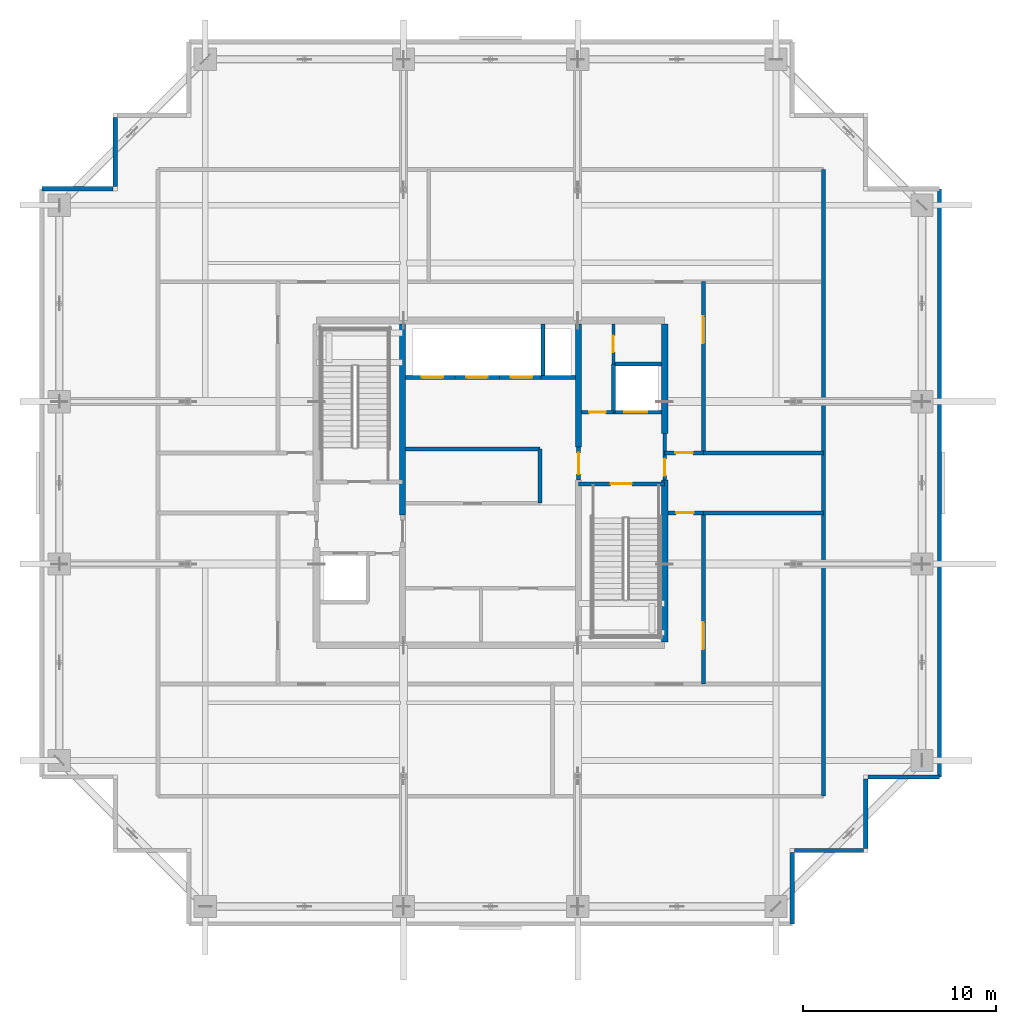
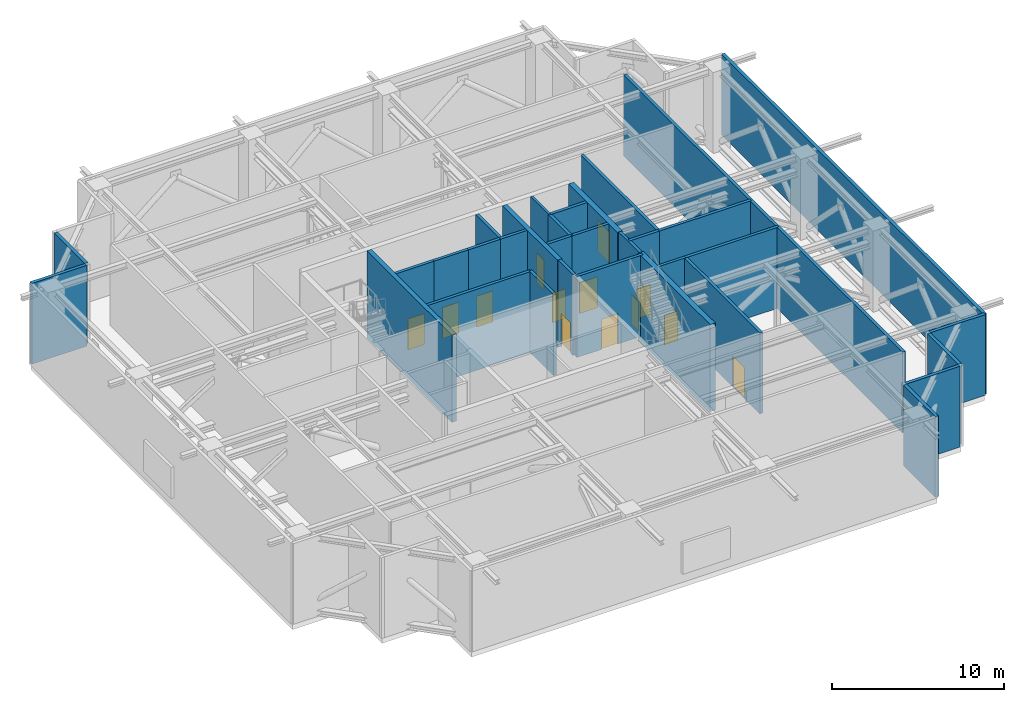
# One storey, part 16 of 22: 33 walls, 13 doors, 13 openings.
"""IFC4 building model written with IfcOpenShell, lengths in metres."""

from ifc_helpers import new_model, si_unit, direction, frame, frame_2d, origin, place, context, subcontext, project, spatial, rectangle, extrude, source, transform, mapped, material, layer, layer_set, type_object, element, fill, save


model = new_model("IFC4")

# Units and contexts
model_context = context("Model", 3, precision=1e-05, world=origin(), true_north=direction((0.0, 1.0)))
body_context = subcontext(model_context, "Body", "Model", "MODEL_VIEW")
ifc_project = project(units=[si_unit("LENGTHUNIT", "METRE"), si_unit("AREAUNIT", "SQUARE_METRE"), si_unit("VOLUMEUNIT", "CUBIC_METRE"), si_unit("PLANEANGLEUNIT", "RADIAN"), si_unit("MASSUNIT", "GRAM", prefix="KILO")], contexts=[model_context])

# Site, building, storey
site_placement = place(None, origin())
site = spatial("IfcSite", under=ifc_project, at=site_placement, CompositionType="ELEMENT")
building_placement = place(site_placement, origin())
building = spatial("IfcBuilding", under=site, at=building_placement, Name="Serunith Strait Residences", CompositionType="ELEMENT")
storey_placement = place(building_placement, frame((0.0, 0.0, 287.449951171875)))
storey = spatial("IfcBuildingStorey", under=building, at=storey_placement, Name="L72", CompositionType="ELEMENT", Elevation=287.449951171875)

# Walls
ifc_material_1 = material(Name="Pale-Champagne Aluminium Insulated Panel", Category="aluminium")
ifc_layer_1 = layer(ifc_material_1, 0.219970703125, Name="Pale-Champagne Aluminium Insulated Panel")
ifc_layer_set_1 = layer_set([ifc_layer_1], Name="Pale-Champagne Aluminium Insulated Panel")
wall_type_1 = type_object("IfcWallType", Name="EW-ALUM-220", PredefinedType="ELEMENTEDWALL", material=ifc_layer_set_1)
wall_1_placement = place(storey_placement, frame((48.0, 2.39990234375, 0.0), z_axis=(0.0, 0.0, 1.0), x_axis=(0.0, 1.0, 0.0)))
element("IfcWall", 1, at=wall_1_placement, inside=storey, type_object=wall_type_1, Name="L72 Girih Serrated Corner Wall 02", PredefinedType="ELEMENTEDWALL", context=body_context, shape_type="SweptSolid", body=[
    extrude(rectangle(XDim=3.690185546875, YDim=0.219970703125, at=frame_2d((1.84521484375, 0.0))), origin(), (0.0, 0.0, 1.0), 5.72509765625),
])
for number, where, z_axis, x_axis, name in (
    (2, (48.110107421875, 6.199951171875, 0.0), (0.0, 0.0, 1.0), (1.0, 0.0, 0.0), "L72 Girih Serrated Corner Wall 03"),
    (3, (51.800048828125, 6.31005859375, 0.0), (0.0, 0.0, 1.0), (0.0, 1.0, 0.0), "L72 Girih Serrated Corner Wall 04"),
):
    element("IfcWall", number, at=place(storey_placement, frame(where, z_axis=z_axis, x_axis=x_axis)), inside=storey, type_object=wall_type_1, Name=name, PredefinedType="ELEMENTEDWALL", context=body_context, shape_type="SweptSolid", body=[
        extrude(rectangle(XDim=3.579833984375, YDim=0.219970703125, at=frame_2d((1.7900390625, 0.0))), origin(), (0.0, 0.0, 1.0), 5.72509765625),
    ])
wall_2_placement = place(storey_placement, frame((51.909912109375, 10.0, 0.0), z_axis=(0.0, 0.0, 1.0), x_axis=(1.0, 0.0, 0.0)))
element("IfcWall", 4, at=wall_2_placement, inside=storey, type_object=wall_type_1, Name="L72 Girih Serrated Corner Wall 05", PredefinedType="ELEMENTEDWALL", context=body_context, shape_type="SweptSolid", body=[
    extrude(rectangle(XDim=3.690185546875, YDim=0.219970703125, at=frame_2d((1.84521484375, 0.0))), origin(), (0.0, 0.0, 1.0), 5.72509765625),
])
wall_3_placement = place(storey_placement, frame((55.60009765625, 10.0, 0.0), z_axis=(0.0, 0.0, 1.0), x_axis=(0.0, 1.0, 0.0)))
element("IfcWall", 5, at=wall_3_placement, inside=storey, type_object=wall_type_1, Name="L72 E Outrigger Plant Acoustic Wall", PredefinedType="ELEMENTEDWALL", context=body_context, shape_type="SweptSolid", body=[
    extrude(rectangle(XDim=30.39990234375, YDim=0.219970703125, at=frame_2d((15.199951171875, 0.0))), origin(), (0.0, 0.0, 1.0), 5.72509765625),
])
wall_4_placement = place(storey_placement, frame((13.0, 44.090087890625, 0.0), z_axis=(0.0, 0.0, 1.0), x_axis=(0.0, -1.0, 0.0)))
element("IfcWall", 6, at=wall_4_placement, inside=storey, type_object=wall_type_1, Name="L72 Girih Serrated Corner Wall 14", PredefinedType="ELEMENTEDWALL", context=body_context, shape_type="SweptSolid", body=[
    extrude(rectangle(XDim=3.580078125, YDim=0.219970703125, at=frame_2d((1.7900390625, 0.0))), origin(), (0.0, 0.0, 1.0), 5.72509765625),
])
wall_5_placement = place(storey_placement, frame((12.889892578125, 40.39990234375, 0.0), z_axis=(0.0, 0.0, 1.0), x_axis=(-1.0, 0.0, 0.0)))
element("IfcWall", 7, at=wall_5_placement, inside=storey, type_object=wall_type_1, Name="L72 Girih Serrated Corner Wall 15", PredefinedType="ELEMENTEDWALL", context=body_context, shape_type="SweptSolid", body=[
    extrude(rectangle(XDim=3.68994140625, YDim=0.219970703125, at=frame_2d((1.844970703125, 0.0))), origin(), (0.0, 0.0, 1.0), 5.72509765625),
])

# Wall, opening, door
ifc_material_2 = material(Name="Fire-rated masonry service closet wall", Category="masonry")
ifc_layer_2 = layer(ifc_material_2, 0.14990234375, Name="Fire-rated masonry service closet wall")
ifc_layer_set_2 = layer_set([ifc_layer_2], Name="Fire-rated masonry service closet wall")
wall_type_2 = type_object("IfcWallType", Name="IW-BOH-150", PredefinedType="PARTITIONING", material=ifc_layer_set_2)
wall_6_placement = place(storey_placement, frame((38.75, 31.35205078125, 0.0), z_axis=(0.0, 0.0, 1.0), x_axis=(0.0, 1.0, 0.0)))
wall_6 = element("IfcWall", 8, at=wall_6_placement, inside=storey, type_object=wall_type_2, Name="L72 Partition Wall 011", PredefinedType="PARTITIONING", context=body_context, shape_type="SweptSolid", body=[
    extrude(rectangle(XDim=2.072998046875, YDim=0.14990234375, at=frame_2d((1.03662109375, 0.0))), origin(), (0.0, 0.0, 1.0), 5.739990234375),
])
opening_1_placement = place(wall_6_placement, frame((0.611083984375, 0.0, 0.0)))
opening_1 = element("IfcOpeningElement", 9, at=opening_1_placement, cuts=wall_6, Name="Opening FD-850", PredefinedType="OPENING", context=body_context, shape_type="SweptSolid", body=[
    extrude(rectangle(XDim=0.85009765625, YDim=2.10009765625, at=frame_2d((0.425048828125, 1.050048828125))), frame((0.0, 0.0849609375, 0.0), z_axis=(0.0, -1.0, 0.0), x_axis=(1.0, 0.0, 0.0)), (0.0, 0.0, 1.0), 0.169921875),
])
ifc_material_3 = material(Name="Powder-coated steel service closet door", Category="steel")
door_type_1 = type_object("IfcDoorType", Name="FD-BOH-850", OperationType="NOTDEFINED", PredefinedType="DOOR", material=ifc_material_3)
shared_shape_1 = source(origin(), body_context, "Body", "SweptSolid", [
    extrude(rectangle(XDim=0.85009765625, YDim=2.10009765625, at=frame_2d((0.425048828125, 1.050048828125))), frame((0.0, 0.02490234375, 0.0), z_axis=(0.0, -1.0, 0.0), x_axis=(1.0, 0.0, 0.0)), (0.0, 0.0, 1.0), 0.050048828125),
])
door_1_placement = place(opening_1_placement, origin())
door_1 = element("IfcDoor", 10, at=door_1_placement, inside=storey, type_object=door_type_1, Name="L72 ELV Data Closet Door", OperationType="SINGLE_SWING_RIGHT", OverallHeight=2.10009765625, OverallWidth=0.85009765625, PredefinedType="DOOR", context=body_context, shape_type="MappedRepresentation", body=[
    mapped(shared_shape_1, transform((0.0, 0.0, 0.0), scale=1.0)),
])
fill(opening_1, door_1)

# Wall
ifc_material_4 = material(Name="Acoustic concrete block plant wall", Category="concrete")
ifc_layer_3 = layer(ifc_material_4, 0.199951171875, Name="Acoustic concrete block plant wall")
ifc_layer_set_3 = layer_set([ifc_layer_3], Name="Acoustic concrete block plant wall")
wall_type_3 = type_object("IfcWallType", Name="IW-PLANT-200", PredefinedType="STANDARD", material=ifc_layer_set_3)
wall_7_placement = place(storey_placement, frame((49.60009765625, 9.0, 0.0), z_axis=(0.0, 0.0, 1.0), x_axis=(0.0, 1.0, 0.0)))
element("IfcWall", 11, at=wall_7_placement, inside=storey, type_object=wall_type_3, Name="L72 Partition Wall 021", PredefinedType="STANDARD", context=body_context, shape_type="SweptSolid", body=[
    extrude(rectangle(XDim=32.39990234375, YDim=0.199951171875, at=frame_2d((16.199951171875, 0.0))), origin(), (0.0, 0.0, 1.0), 5.739990234375),
])

# Wall, opening, door
wall_8_placement = place(storey_placement, frame((41.574951171875, 23.64990234375, 0.0), z_axis=(0.0, 0.0, 1.0), x_axis=(1.0, 0.0, 0.0)))
wall_8 = element("IfcWall", 12, at=wall_8_placement, inside=storey, type_object=wall_type_3, Name="L72 Partition Wall 026", PredefinedType="STANDARD", context=body_context, shape_type="SweptSolid", body=[
    extrude(rectangle(XDim=1.824951171875, YDim=0.199951171875, at=frame_2d((0.91259765625, 0.0))), origin(), (0.0, 0.0, 1.0), 5.739990234375),
])
opening_2_placement = place(wall_8_placement, frame((0.41796875, 0.0, 0.0)))
opening_2 = element("IfcOpeningElement", 13, at=opening_2_placement, cuts=wall_8, Name="Opening FD-900", PredefinedType="OPENING", context=body_context, shape_type="SweptSolid", body=[
    extrude(rectangle(XDim=0.89990234375, YDim=2.10009765625, at=frame_2d((0.449951171875, 1.050048828125))), frame((0.0, 0.10986328125, 0.0), z_axis=(0.0, -1.0, 0.0), x_axis=(1.0, 0.0, 0.0)), (0.0, 0.0, 1.0), 0.219970703125),
])
ifc_material_5 = material(Name="Powder-coated steel riser door", Category="steel")
door_type_2 = type_object("IfcDoorType", Name="FD-BOH-900", OperationType="NOTDEFINED", PredefinedType="DOOR", material=ifc_material_5)
shared_shape_2 = source(origin(), body_context, "Body", "SweptSolid", [
    extrude(rectangle(XDim=0.89990234375, YDim=2.10009765625, at=frame_2d((0.449951171875, 1.050048828125))), frame((0.0, 0.02490234375, 0.0), z_axis=(0.0, -1.0, 0.0), x_axis=(1.0, 0.0, 0.0)), (0.0, 0.0, 1.0), 0.050048828125),
])
door_2_placement = place(opening_2_placement, origin())
door_2 = element("IfcDoor", 14, at=door_2_placement, inside=storey, type_object=door_type_2, Name="L72 South-East Plant Corridor Door", OperationType="SINGLE_SWING_RIGHT", OverallHeight=2.10009765625, OverallWidth=0.89990234375, PredefinedType="DOOR", context=body_context, shape_type="MappedRepresentation", body=[
    mapped(shared_shape_2, transform((0.0, 0.0, 0.0), scale=1.0)),
])
fill(opening_2, door_2)

# Wall
wall_9_placement = place(storey_placement, frame((43.402099609375, 23.64990234375, 0.0), z_axis=(0.0, 0.0, 1.0), x_axis=(1.0, 0.0, 0.0)))
element("IfcWall", 15, at=wall_9_placement, inside=storey, type_object=wall_type_3, Name="L72 Partition Wall 027", PredefinedType="STANDARD", context=body_context, shape_type="SweptSolid", body=[
    extrude(rectangle(XDim=6.197998046875, YDim=0.199951171875, at=frame_2d((3.09912109375, 0.0))), origin(), (0.0, 0.0, 1.0), 5.739990234375),
])

# Wall, opening, door
wall_10_placement = place(storey_placement, frame((41.39990234375, 26.75, 0.0), z_axis=(0.0, 0.0, 1.0), x_axis=(1.0, 0.0, 0.0)))
wall_10 = element("IfcWall", 16, at=wall_10_placement, inside=storey, type_object=wall_type_3, Name="L72 Partition Wall 028", PredefinedType="STANDARD", context=body_context, shape_type="SweptSolid", body=[
    extrude(rectangle(XDim=2.0, YDim=0.199951171875, at=frame_2d((1.0, 0.0))), origin(), (0.0, 0.0, 1.0), 5.739990234375),
])
opening_3_placement = place(wall_10_placement, frame((0.550048828125, 0.0, 0.0)))
opening_3 = element("IfcOpeningElement", 17, at=opening_3_placement, cuts=wall_10, Name="Opening FD-900", PredefinedType="OPENING", context=body_context, shape_type="SweptSolid", body=[
    extrude(rectangle(XDim=0.89990234375, YDim=2.10009765625, at=frame_2d((0.449951171875, 1.050048828125))), frame((0.0, 0.10986328125, 0.0), z_axis=(0.0, -1.0, 0.0), x_axis=(1.0, 0.0, 0.0)), (0.0, 0.0, 1.0), 0.219970703125),
])
door_3_placement = place(opening_3_placement, origin())
door_3 = element("IfcDoor", 18, at=door_3_placement, inside=storey, type_object=door_type_2, Name="L72 North-East Plant Corridor Door", OperationType="SINGLE_SWING_LEFT", OverallHeight=2.10009765625, OverallWidth=0.89990234375, PredefinedType="DOOR", context=body_context, shape_type="MappedRepresentation", body=[
    mapped(shared_shape_2, transform((0.0, 0.0, 0.0), scale=1.0)),
])
fill(opening_3, door_3)

# Wall
wall_11_placement = place(storey_placement, frame((43.402099609375, 26.75, 0.0), z_axis=(0.0, 0.0, 1.0), x_axis=(1.0, 0.0, 0.0)))
element("IfcWall", 19, at=wall_11_placement, inside=storey, type_object=wall_type_3, Name="L72 Partition Wall 029", PredefinedType="STANDARD", context=body_context, shape_type="SweptSolid", body=[
    extrude(rectangle(XDim=6.197998046875, YDim=0.199951171875, at=frame_2d((3.09912109375, 0.0))), origin(), (0.0, 0.0, 1.0), 5.739990234375),
])

# Wall, opening, door
wall_12_placement = place(storey_placement, frame((43.39990234375, 14.800048828125, 0.0), z_axis=(0.0, 0.0, 1.0), x_axis=(0.0, 1.0, 0.0)))
wall_12 = element("IfcWall", 20, at=wall_12_placement, inside=storey, type_object=wall_type_3, Name="L72 Partition Wall 036", PredefinedType="STANDARD", context=body_context, shape_type="SweptSolid", body=[
    extrude(rectangle(XDim=8.849853515625, YDim=0.199951171875, at=frame_2d((4.4248046875, 0.0))), origin(), (0.0, 0.0, 1.0), 5.739990234375),
])
opening_4_placement = place(wall_12_placement, frame((1.7880859375, 0.0, 0.0)))
opening_4 = element("IfcOpeningElement", 21, at=opening_4_placement, cuts=wall_12, Name="Opening FD-1400", PredefinedType="OPENING", context=body_context, shape_type="SweptSolid", body=[
    extrude(rectangle(XDim=1.39990234375, YDim=2.199951171875, at=frame_2d((0.699951171875, 1.10009765625))), frame((0.0, 0.10986328125, 0.0), z_axis=(0.0, -1.0, 0.0), x_axis=(1.0, 0.0, 0.0)), (0.0, 0.0, 1.0), 0.219970703125),
])
ifc_material_6 = material(Name="Acoustic double-skin steel plant door", Category="steel")
door_type_3 = type_object("IfcDoorType", Name="FD-PLANT-1400", OperationType="DOUBLE_DOOR_SINGLE_SWING", PredefinedType="DOOR", material=ifc_material_6)
shared_shape_3 = source(origin(), body_context, "Body", "SweptSolid", [
    extrude(rectangle(XDim=1.39990234375, YDim=2.199951171875, at=frame_2d((0.699951171875, 1.10009765625))), frame((0.0, 0.02490234375, 0.0), z_axis=(0.0, -1.0, 0.0), x_axis=(1.0, 0.0, 0.0)), (0.0, 0.0, 1.0), 0.050048828125),
])
door_4_placement = place(opening_4_placement, origin())
door_4 = element("IfcDoor", 22, at=door_4_placement, inside=storey, type_object=door_type_3, Name="L72 South-East Fan Plant Door", OperationType="DOUBLE_DOOR_SINGLE_SWING", OverallHeight=2.199951171875, OverallWidth=1.39990234375, PredefinedType="DOOR", context=body_context, shape_type="MappedRepresentation", body=[
    mapped(shared_shape_3, transform((0.0, 0.0, 0.0), scale=1.0)),
])
fill(opening_4, door_4)

wall_13_placement = place(storey_placement, frame((43.39990234375, 26.75, 0.0), z_axis=(0.0, 0.0, 1.0), x_axis=(0.0, 1.0, 0.0)))
wall_13 = element("IfcWall", 23, at=wall_13_placement, inside=storey, type_object=wall_type_3, Name="L72 Partition Wall 037", PredefinedType="STANDARD", context=body_context, shape_type="SweptSolid", body=[
    extrude(rectangle(XDim=8.85009765625, YDim=0.199951171875, at=frame_2d((4.425048828125, 0.0))), origin(), (0.0, 0.0, 1.0), 5.739990234375),
])
opening_5_placement = place(wall_13_placement, frame((5.662109375, 0.0, 0.0)))
opening_5 = element("IfcOpeningElement", 24, at=opening_5_placement, cuts=wall_13, Name="Opening FD-1400", PredefinedType="OPENING", context=body_context, shape_type="SweptSolid", body=[
    extrude(rectangle(XDim=1.39990234375, YDim=2.199951171875, at=frame_2d((0.699951171875, 1.10009765625))), frame((0.0, 0.10986328125, 0.0), z_axis=(0.0, -1.0, 0.0), x_axis=(1.0, 0.0, 0.0)), (0.0, 0.0, 1.0), 0.219970703125),
])
door_5_placement = place(opening_5_placement, origin())
door_5 = element("IfcDoor", 25, at=door_5_placement, inside=storey, type_object=door_type_3, Name="L72 North-East Fan Plant Door", OperationType="DOUBLE_DOOR_SINGLE_SWING", OverallHeight=2.199951171875, OverallWidth=1.39990234375, PredefinedType="DOOR", context=body_context, shape_type="MappedRepresentation", body=[
    mapped(shared_shape_3, transform((0.0, 0.0, 0.0), scale=1.0)),
])
fill(opening_5, door_5)

ifc_material_7 = material(Name="Autoclaved aerated concrete blockwork", Category="masonry")
ifc_layer_4 = layer(ifc_material_7, 0.199951171875, Name="Autoclaved aerated concrete blockwork")
ifc_layer_set_4 = layer_set([ifc_layer_4], Name="Autoclaved aerated concrete blockwork")
wall_type_4 = type_object("IfcWallType", Name="IW-SHAFT-200", PredefinedType="STANDARD", material=ifc_layer_set_4)
wall_14_placement = place(storey_placement, frame((36.949951171875, 25.14990234375, 0.0), z_axis=(0.0, 0.0, 1.0), x_axis=(1.0, 0.0, 0.0)))
wall_14 = element("IfcWall", 26, at=wall_14_placement, inside=storey, type_object=wall_type_4, Name="L72 ST-2 North Shaft Wall", PredefinedType="STANDARD", context=body_context, shape_type="SweptSolid", body=[
    extrude(rectangle(XDim=4.449951171875, YDim=0.199951171875, at=frame_2d((2.22509765625, 0.0))), origin(), (0.0, 0.0, 1.0), 5.739990234375),
])
opening_6_placement = place(wall_14_placement, frame((1.64990234375, 0.0, 0.0)))
opening_6 = element("IfcOpeningElement", 27, at=opening_6_placement, cuts=wall_14, Name="Opening FD-1100", PredefinedType="OPENING", context=body_context, shape_type="SweptSolid", body=[
    extrude(rectangle(XDim=1.10009765625, YDim=2.14990234375, at=frame_2d((0.550048828125, 1.074951171875))), frame((0.0, 0.10986328125, 0.0), z_axis=(0.0, -1.0, 0.0), x_axis=(1.0, 0.0, 0.0)), (0.0, 0.0, 1.0), 0.219970703125),
])
ifc_material_8 = material(Name="Galvanised steel fire door leaf", Category="steel")
door_type_4 = type_object("IfcDoorType", Name="FD-STAIR-1100", OperationType="NOTDEFINED", PredefinedType="DOOR", material=ifc_material_8)
shared_shape_4 = source(origin(), body_context, "Body", "SweptSolid", [
    extrude(rectangle(XDim=1.10009765625, YDim=2.14990234375, at=frame_2d((0.550048828125, 1.074951171875))), frame((0.0, 0.02490234375, 0.0), z_axis=(0.0, -1.0, 0.0), x_axis=(1.0, 0.0, 0.0)), (0.0, 0.0, 1.0), 0.050048828125),
])
door_6_placement = place(opening_6_placement, origin())
door_6 = element("IfcDoor", 28, at=door_6_placement, inside=storey, type_object=door_type_4, Name="L72 ST-2 Escape Stair Door", OperationType="SINGLE_SWING_LEFT", OverallHeight=2.14990234375, OverallWidth=1.10009765625, PredefinedType="DOOR", context=body_context, shape_type="MappedRepresentation", body=[
    mapped(shared_shape_4, transform((0.0, 0.0, 0.0), scale=1.0)),
])
fill(opening_6, door_6)

wall_15_placement = place(storey_placement, frame((38.75, 28.85009765625, 0.0), z_axis=(0.0, 0.0, 1.0), x_axis=(1.0, 0.0, 0.0)))
wall_15 = element("IfcWall", 29, at=wall_15_placement, inside=storey, type_object=wall_type_4, Name="L72 FL-2 South Shaft Wall", PredefinedType="STANDARD", context=body_context, shape_type="SweptSolid", body=[
    extrude(rectangle(XDim=2.47509765625, YDim=0.199951171875, at=frame_2d((1.237548828125, 0.0))), origin(), (0.0, 0.0, 1.0), 5.739990234375),
])
opening_7_placement = place(wall_15_placement, frame((0.550048828125, 0.0, 0.0)))
opening_7 = element("IfcOpeningElement", 30, at=opening_7_placement, cuts=wall_15, Name="Opening LD-FF1200", PredefinedType="OPENING", context=body_context, shape_type="SweptSolid", body=[
    extrude(rectangle(XDim=1.199951171875, YDim=2.199951171875, at=frame_2d((0.60009765625, 1.10009765625))), frame((0.0, 0.10986328125, 0.0), z_axis=(0.0, -1.0, 0.0), x_axis=(1.0, 0.0, 0.0)), (0.0, 0.0, 1.0), 0.219970703125),
])
ifc_material_9 = material(Name="Brushed stainless steel landing door", Category="steel")
door_type_5 = type_object("IfcDoorType", Name="LD-FF-1200", OperationType="DOUBLE_DOOR_SLIDING", PredefinedType="DOOR", material=ifc_material_9)
shared_shape_5 = source(origin(), body_context, "Body", "SweptSolid", [
    extrude(rectangle(XDim=1.199951171875, YDim=2.199951171875, at=frame_2d((0.60009765625, 1.10009765625))), frame((0.0, 0.02490234375, 0.0), z_axis=(0.0, -1.0, 0.0), x_axis=(1.0, 0.0, 0.0)), (0.0, 0.0, 1.0), 0.050048828125),
])
door_7_placement = place(opening_7_placement, origin())
door_7 = element("IfcDoor", 31, at=door_7_placement, inside=storey, type_object=door_type_5, Name="L72 FL-2 Landing Door", OperationType="DOUBLE_DOOR_SLIDING", OverallHeight=2.199951171875, OverallWidth=1.199951171875, PredefinedType="DOOR", context=body_context, shape_type="MappedRepresentation", body=[
    mapped(shared_shape_5, transform((0.0, 0.0, 0.0), scale=1.0)),
])
fill(opening_7, door_7)

wall_16_placement = place(storey_placement, frame((28.0, 30.64990234375, 0.0), z_axis=(0.0, 0.0, 1.0), x_axis=(1.0, 0.0, 0.0)))
wall_16 = element("IfcWall", 32, at=wall_16_placement, inside=storey, type_object=wall_type_4, Name="L72 PL-7 South Shaft Wall", PredefinedType="STANDARD", context=body_context, shape_type="SweptSolid", body=[
    extrude(rectangle(XDim=2.550048828125, YDim=0.199951171875, at=frame_2d((1.27490234375, 0.0))), origin(), (0.0, 0.0, 1.0), 5.739990234375),
])
opening_8_placement = place(wall_16_placement, frame((0.85009765625, 0.0, 0.0)))
opening_8 = element("IfcOpeningElement", 33, at=opening_8_placement, cuts=wall_16, Name="Opening LD-1100", PredefinedType="OPENING", context=body_context, shape_type="SweptSolid", body=[
    extrude(rectangle(XDim=1.10009765625, YDim=2.199951171875, at=frame_2d((0.550048828125, 1.10009765625))), frame((0.0, 0.10986328125, 0.0), z_axis=(0.0, -1.0, 0.0), x_axis=(1.0, 0.0, 0.0)), (0.0, 0.0, 1.0), 0.219970703125),
])
ifc_material_10 = material(Name="Pale-champagne stainless landing door")
door_type_6 = type_object("IfcDoorType", Name="LD-LIFT-1100", OperationType="DOUBLE_DOOR_SLIDING", PredefinedType="DOOR", material=ifc_material_10)
shared_shape_6 = source(origin(), body_context, "Body", "SweptSolid", [
    extrude(rectangle(XDim=1.10009765625, YDim=2.199951171875, at=frame_2d((0.550048828125, 1.10009765625))), frame((0.0, 0.02490234375, 0.0), z_axis=(0.0, -1.0, 0.0), x_axis=(1.0, 0.0, 0.0)), (0.0, 0.0, 1.0), 0.050048828125),
])
door_8_placement = place(opening_8_placement, origin())
door_8 = element("IfcDoor", 34, at=door_8_placement, inside=storey, type_object=door_type_6, Name="L72 PL-7 Landing Door", OperationType="DOUBLE_DOOR_SLIDING", OverallHeight=2.199951171875, OverallWidth=1.10009765625, PredefinedType="DOOR", context=body_context, shape_type="MappedRepresentation", body=[
    mapped(shared_shape_6, transform((0.0, 0.0, 0.0), scale=1.0)),
])
fill(opening_8, door_8)

wall_17_placement = place(storey_placement, frame((30.550048828125, 30.64990234375, 0.0), z_axis=(0.0, 0.0, 1.0), x_axis=(1.0, 0.0, 0.0)))
wall_17 = element("IfcWall", 35, at=wall_17_placement, inside=storey, type_object=wall_type_4, Name="L72 PL-8 South Shaft Wall", PredefinedType="STANDARD", context=body_context, shape_type="SweptSolid", body=[
    extrude(rectangle(XDim=2.300048828125, YDim=0.199951171875, at=frame_2d((1.14990234375, 0.0))), origin(), (0.0, 0.0, 1.0), 5.739990234375),
])
opening_9_placement = place(wall_17_placement, frame((0.60009765625, 0.0, 0.0)))
opening_9 = element("IfcOpeningElement", 36, at=opening_9_placement, cuts=wall_17, Name="Opening LD-1100", PredefinedType="OPENING", context=body_context, shape_type="SweptSolid", body=[
    extrude(rectangle(XDim=1.10009765625, YDim=2.199951171875, at=frame_2d((0.550048828125, 1.10009765625))), frame((0.0, 0.10986328125, 0.0), z_axis=(0.0, -1.0, 0.0), x_axis=(1.0, 0.0, 0.0)), (0.0, 0.0, 1.0), 0.219970703125),
])
door_9_placement = place(opening_9_placement, origin())
door_9 = element("IfcDoor", 37, at=door_9_placement, inside=storey, type_object=door_type_6, Name="L72 PL-8 Landing Door", OperationType="DOUBLE_DOOR_SLIDING", OverallHeight=2.199951171875, OverallWidth=1.10009765625, PredefinedType="DOOR", context=body_context, shape_type="MappedRepresentation", body=[
    mapped(shared_shape_6, transform((0.0, 0.0, 0.0), scale=1.0)),
])
fill(opening_9, door_9)

wall_18_placement = place(storey_placement, frame((32.85009765625, 30.64990234375, 0.0), z_axis=(0.0, 0.0, 1.0), x_axis=(1.0, 0.0, 0.0)))
wall_18 = element("IfcWall", 38, at=wall_18_placement, inside=storey, type_object=wall_type_4, Name="L72 PL-9 South Shaft Wall", PredefinedType="STANDARD", context=body_context, shape_type="SweptSolid", body=[
    extrude(rectangle(XDim=2.14990234375, YDim=0.199951171875, at=frame_2d((1.074951171875, 0.0))), origin(), (0.0, 0.0, 1.0), 5.739990234375),
])
opening_10_placement = place(wall_18_placement, frame((0.60009765625, 0.0, 0.0)))
opening_10 = element("IfcOpeningElement", 39, at=opening_10_placement, cuts=wall_18, Name="Opening LD-1100", PredefinedType="OPENING", context=body_context, shape_type="SweptSolid", body=[
    extrude(rectangle(XDim=1.10009765625, YDim=2.199951171875, at=frame_2d((0.550048828125, 1.10009765625))), frame((0.0, 0.10986328125, 0.0), z_axis=(0.0, -1.0, 0.0), x_axis=(1.0, 0.0, 0.0)), (0.0, 0.0, 1.0), 0.219970703125),
])
door_10_placement = place(opening_10_placement, origin())
door_10 = element("IfcDoor", 40, at=door_10_placement, inside=storey, type_object=door_type_6, Name="L72 PL-9 Landing Door", OperationType="DOUBLE_DOOR_SLIDING", OverallHeight=2.199951171875, OverallWidth=1.10009765625, PredefinedType="DOOR", context=body_context, shape_type="MappedRepresentation", body=[
    mapped(shared_shape_6, transform((0.0, 0.0, 0.0), scale=1.0)),
])
fill(opening_10, door_10)

# Walls
wall_19_placement = place(storey_placement, frame((35.0, 30.64990234375, 0.0), z_axis=(0.0, 0.0, 1.0), x_axis=(1.0, 0.0, 0.0)))
element("IfcWall", 41, at=wall_19_placement, inside=storey, type_object=wall_type_4, Name="L72 SL-1 South Shaft Wall", PredefinedType="STANDARD", context=body_context, shape_type="SweptSolid", body=[
    extrude(rectangle(XDim=1.800048828125, YDim=0.199951171875, at=frame_2d((0.89990234375, 0.0))), origin(), (0.0, 0.0, 1.0), 5.739990234375),
])
wall_20_placement = place(storey_placement, frame((35.10009765625, 30.75, 0.0), z_axis=(0.0, 0.0, 1.0), x_axis=(0.0, 1.0, 0.0)))
element("IfcWall", 42, at=wall_20_placement, inside=storey, type_object=wall_type_4, Name="L72 SL-1 West Shaft Wall", PredefinedType="STANDARD", context=body_context, shape_type="SweptSolid", body=[
    extrude(rectangle(XDim=2.675048828125, YDim=0.199951171875, at=frame_2d((1.33740234375, 0.0))), origin(), (0.0, 0.0, 1.0), 5.739990234375),
])
wall_21_placement = place(storey_placement, frame((38.75, 28.85009765625, 0.0), z_axis=(0.0, 0.0, 1.0), x_axis=(0.0, 1.0, 0.0)))
element("IfcWall", 43, at=wall_21_placement, inside=storey, type_object=wall_type_4, Name="L72 Partition Wall 004", PredefinedType="STANDARD", context=body_context, shape_type="SweptSolid", body=[
    extrude(rectangle(XDim=2.5, YDim=0.199951171875, at=frame_2d((1.25, 0.0))), origin(), (0.0, 0.0, 1.0), 5.739990234375),
])
wall_22_placement = place(storey_placement, frame((38.75, 31.35009765625, 0.0), z_axis=(0.0, 0.0, 1.0), x_axis=(1.0, 0.0, 0.0)))
element("IfcWall", 44, at=wall_22_placement, inside=storey, type_object=wall_type_4, Name="L72 Partition Wall 005", PredefinedType="STANDARD", context=body_context, shape_type="SweptSolid", body=[
    extrude(rectangle(XDim=2.47509765625, YDim=0.199951171875, at=frame_2d((1.237548828125, 0.0))), origin(), (0.0, 0.0, 1.0), 5.739990234375),
])

# Wall, opening, door
wall_23_placement = place(storey_placement, frame((37.10009765625, 28.85009765625, 0.0), z_axis=(0.0, 0.0, 1.0), x_axis=(1.0, 0.0, 0.0)))
wall_23 = element("IfcWall", 45, at=wall_23_placement, inside=storey, type_object=wall_type_4, Name="L72 Partition Wall 006", PredefinedType="STANDARD", context=body_context, shape_type="SweptSolid", body=[
    extrude(rectangle(XDim=1.64794921875, YDim=0.199951171875, at=frame_2d((0.823974609375, 0.0))), origin(), (0.0, 0.0, 1.0), 5.739990234375),
])
opening_11_placement = place(wall_23_placement, frame((0.39892578125, 0.0, 0.0)))
opening_11 = element("IfcOpeningElement", 46, at=opening_11_placement, cuts=wall_23, Name="Opening FD-850", PredefinedType="OPENING", context=body_context, shape_type="SweptSolid", body=[
    extrude(rectangle(XDim=0.85009765625, YDim=2.10009765625, at=frame_2d((0.425048828125, 1.050048828125))), frame((0.0, 0.10986328125, 0.0), z_axis=(0.0, -1.0, 0.0), x_axis=(1.0, 0.0, 0.0)), (0.0, 0.0, 1.0), 0.219970703125),
])
door_11_placement = place(opening_11_placement, origin())
door_11 = element("IfcDoor", 47, at=door_11_placement, inside=storey, type_object=door_type_1, Name="L72 North-East Core Service Door", OperationType="SINGLE_SWING_LEFT", OverallHeight=2.10009765625, OverallWidth=0.85009765625, PredefinedType="DOOR", context=body_context, shape_type="MappedRepresentation", body=[
    mapped(shared_shape_1, transform((0.0, 0.0, 0.0), scale=1.0)),
])
fill(opening_11, door_11)

wall_24_placement = place(storey_placement, frame((41.39990234375, 25.35205078125, 0.0), z_axis=(0.0, 0.0, 1.0), x_axis=(0.0, 1.0, 0.0)))
wall_24 = element("IfcWall", 48, at=wall_24_placement, inside=storey, type_object=wall_type_4, Name="L72 Partition Wall 008", PredefinedType="STANDARD", context=body_context, shape_type="SweptSolid", body=[
    extrude(rectangle(XDim=2.39599609375, YDim=0.199951171875, at=frame_2d((1.197998046875, 0.0))), origin(), (0.0, 0.0, 1.0), 5.739990234375),
])
opening_12_placement = place(wall_24_placement, frame((0.219970703125, 0.0, 0.0)))
opening_12 = element("IfcOpeningElement", 49, at=opening_12_placement, cuts=wall_24, Name="Opening FD-850", PredefinedType="OPENING", context=body_context, shape_type="SweptSolid", body=[
    extrude(rectangle(XDim=0.85009765625, YDim=2.10009765625, at=frame_2d((0.425048828125, 1.050048828125))), frame((0.0, 0.10986328125, 0.0), z_axis=(0.0, -1.0, 0.0), x_axis=(1.0, 0.0, 0.0)), (0.0, 0.0, 1.0), 0.219970703125),
])
door_12_placement = place(opening_12_placement, origin())
door_12 = element("IfcDoor", 50, at=door_12_placement, inside=storey, type_object=door_type_1, Name="L72 FFL-2 Corridor Fire Door", OperationType="SINGLE_SWING_LEFT", OverallHeight=2.10009765625, OverallWidth=0.85009765625, PredefinedType="DOOR", context=body_context, shape_type="MappedRepresentation", body=[
    mapped(shared_shape_1, transform((0.0, 0.0, 0.0), scale=1.0)),
])
fill(opening_12, door_12)

wall_25_placement = place(storey_placement, frame((36.949951171875, 25.35205078125, 0.0), z_axis=(0.0, 0.0, 1.0), x_axis=(0.0, 1.0, 0.0)))
wall_25 = element("IfcWall", 51, at=wall_25_placement, inside=storey, type_object=wall_type_4, Name="L72 Partition Wall 010", PredefinedType="STANDARD", context=body_context, shape_type="SweptSolid", body=[
    extrude(rectangle(XDim=1.696044921875, YDim=0.199951171875, at=frame_2d((0.84814453125, 0.0))), origin(), (0.0, 0.0, 1.0), 5.739990234375),
])
opening_13_placement = place(wall_25_placement, frame((0.298095703125, 0.0, 0.0)))
opening_13 = element("IfcOpeningElement", 52, at=opening_13_placement, cuts=wall_25, Name="Opening FD-FFL", PredefinedType="OPENING", context=body_context, shape_type="SweptSolid", body=[
    extrude(rectangle(XDim=1.10009765625, YDim=2.14990234375, at=frame_2d((0.550048828125, 1.074951171875))), frame((0.0, 0.10986328125, 0.0), z_axis=(0.0, -1.0, 0.0), x_axis=(1.0, 0.0, 0.0)), (0.0, 0.0, 1.0), 0.219970703125),
])
ifc_material_11 = material(Name="Glazed steel smoke-lobby fire door", Category="steel")
door_type_7 = type_object("IfcDoorType", Name="FD-FFL-1100", OperationType="NOTDEFINED", PredefinedType="DOOR", material=ifc_material_11)
door_13_placement = place(opening_13_placement, origin())
door_13 = element("IfcDoor", 53, at=door_13_placement, inside=storey, type_object=door_type_7, Name="L72 FFL-2 Lift Lobby Door", OperationType="SINGLE_SWING_LEFT", OverallHeight=2.14990234375, OverallWidth=1.10009765625, PredefinedType="DOOR", context=body_context, shape_type="MappedRepresentation", body=[
    mapped(shared_shape_4, transform((0.0, 0.0, 0.0), scale=1.0)),
])
fill(opening_13, door_13)

# Walls
wall_26_placement = place(storey_placement, frame((28.0, 26.949951171875, 0.0), z_axis=(0.0, 0.0, 1.0), x_axis=(1.0, 0.0, 0.0)))
element("IfcWall", 54, at=wall_26_placement, inside=storey, type_object=wall_type_4, Name="L72 Partition Wall 015", PredefinedType="STANDARD", context=body_context, shape_type="SweptSolid", body=[
    extrude(rectangle(XDim=6.949951171875, YDim=0.199951171875, at=frame_2d((3.47509765625, 0.0))), origin(), (0.0, 0.0, 1.0), 5.739990234375),
])
wall_27_placement = place(storey_placement, frame((34.949951171875, 24.14990234375, 0.0), z_axis=(0.0, 0.0, 1.0), x_axis=(0.0, 1.0, 0.0)))
element("IfcWall", 55, at=wall_27_placement, inside=storey, type_object=wall_type_4, Name="L72 Partition Wall 016", PredefinedType="STANDARD", context=body_context, shape_type="SweptSolid", body=[
    extrude(rectangle(XDim=2.800048828125, YDim=0.199951171875, at=frame_2d((1.39990234375, 0.0))), origin(), (0.0, 0.0, 1.0), 5.739990234375),
])
ifc_material_12 = material(Name="Concrete C60/75", Category="concrete")
ifc_layer_5 = layer(ifc_material_12, 0.300048828125, Name="Concrete C60/75")
ifc_layer_set_5 = layer_set([ifc_layer_5], Name="Concrete C60/75")
wall_type_5 = type_object("IfcWallType", Name="SW-300-C60", PredefinedType="SHEAR", material=ifc_layer_set_5)
wall_28_placement = place(storey_placement, frame((27.85009765625, 23.550048828125, -0.43994140625), z_axis=(0.0, 0.0, 1.0), x_axis=(0.0, 1.0, 0.0)))
element("IfcWall", 56, at=wall_28_placement, inside=storey, type_object=wall_type_5, Name="L72 Core Internal West Web North Pier", PredefinedType="SHEAR", context=body_context, shape_type="SweptSolid", body=[
    extrude(rectangle(XDim=9.875, YDim=0.300048828125, at=frame_2d((4.9375, 0.0))), origin(), (0.0, 0.0, 1.0), 6.177978515625),
])
wall_29_placement = place(storey_placement, frame((36.949951171875, 27.050048828125, -0.43994140625), z_axis=(0.0, 0.0, 1.0), x_axis=(0.0, 1.0, 0.0)))
element("IfcWall", 57, at=wall_29_placement, inside=storey, type_object=wall_type_5, Name="L72 Core Internal East Web North Pier", PredefinedType="SHEAR", context=body_context, shape_type="SweptSolid", body=[
    extrude(rectangle(XDim=6.375, YDim=0.300048828125, at=frame_2d((3.1875, 0.0))), origin(), (0.0, 0.0, 1.0), 6.177978515625),
])
ifc_layer_6 = layer(ifc_material_12, 0.35009765625, Name="Concrete C60/75")
ifc_layer_set_6 = layer_set([ifc_layer_6], Name="Concrete C60/75")
wall_type_6 = type_object("IfcWallType", Name="SW-350-C60", PredefinedType="SHEAR", material=ifc_layer_set_6)
wall_30_placement = place(storey_placement, frame((41.39990234375, 16.97509765625, -0.43994140625), z_axis=(0.0, 0.0, 1.0), x_axis=(0.0, 1.0, 0.0)))
element("IfcWall", 58, at=wall_30_placement, inside=storey, type_object=wall_type_6, Name="L72 Core East Shear Wall South Pier", PredefinedType="SHEAR", context=body_context, shape_type="SweptSolid", body=[
    extrude(rectangle(XDim=8.375, YDim=0.35009765625, at=frame_2d((4.1875, 0.0))), origin(), (0.0, 0.0, 1.0), 6.177978515625),
])
wall_31_placement = place(storey_placement, frame((41.39990234375, 27.75, -0.43994140625), z_axis=(0.0, 0.0, 1.0), x_axis=(0.0, 1.0, 0.0)))
element("IfcWall", 59, at=wall_31_placement, inside=storey, type_object=wall_type_6, Name="L72 Core East Shear Wall North Pier", PredefinedType="SHEAR", context=body_context, shape_type="SweptSolid", body=[
    extrude(rectangle(XDim=5.675048828125, YDim=0.35009765625, at=frame_2d((2.83740234375, 0.0))), origin(), (0.0, 0.0, 1.0), 6.177978515625),
])

save(model, "model.ifc")
